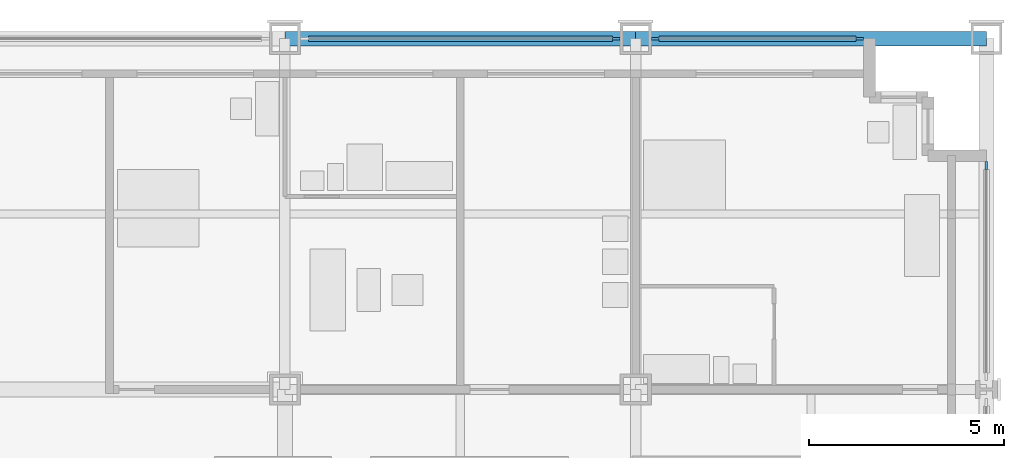
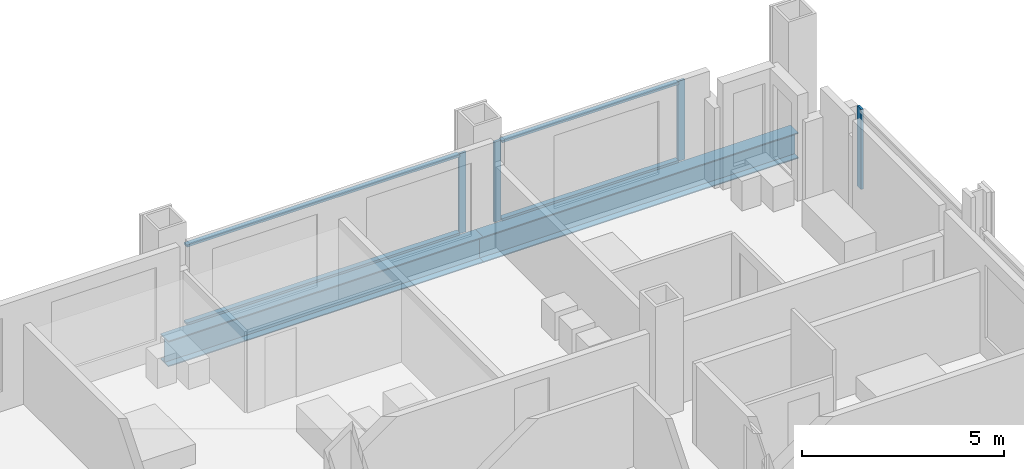
# One storey, part 8 of 18: 8 members, 2 beams, 3 elements without a shape of their own.
"""IFC4 building model written with IfcOpenShell, lengths in metres."""

from ifc_helpers import new_model, si_unit, direction, frame, origin, origin_2d, place, context, subcontext, project, spatial, rectangle, i_section, extrude, material, material_profile, profile_set, type_object, element, aggregate, save


model = new_model("IFC4")

# Units and contexts
model_context = context("Model", 3, precision=1e-05, world=origin(), true_north=direction((0.0, 1.0)))
body_context = subcontext(model_context, "Body", "Model", "MODEL_VIEW")
ifc_project = project(units=[si_unit("LENGTHUNIT", "METRE"), si_unit("AREAUNIT", "SQUARE_METRE"), si_unit("VOLUMEUNIT", "CUBIC_METRE"), si_unit("PLANEANGLEUNIT", "RADIAN"), si_unit("MASSUNIT", "GRAM", prefix="KILO")], contexts=[model_context])

# Site, building, storey
site_placement = place(None, origin())
site = spatial("IfcSite", under=ifc_project, at=site_placement, CompositionType="ELEMENT")
building_placement = place(site_placement, origin())
building = spatial("IfcBuilding", under=site, at=building_placement, Name="Loomwork Tower", CompositionType="ELEMENT")
storey_placement = place(building_placement, frame((0.0, 0.0, 55.199951171875)))
storey = spatial("IfcBuildingStorey", under=building, at=storey_placement, Name="L13", CompositionType="ELEMENT", Elevation=55.199951171875)

# Curtain wall, member
ifc_material_1 = material(Name="Aluminium curtain wall frame", Category="aluminium")
curtain_wall_type = type_object("IfcCurtainWallType", Name="Outer skin glazing hotel", PredefinedType="NOTDEFINED", material=ifc_material_1)
curtain_wall_1_placement = place(storey_placement, origin())
curtain_wall_1 = element("IfcCurtainWall", 1, at=curtain_wall_1_placement, inside=storey, type_object=curtain_wall_type, Name="Outer skin glazing hotel cw/N-36", PredefinedType="NOTDEFINED")
ifc_material_2 = material(Name="Aluminium curtain wall frame", Category="aluminium")
ifc_material_profile_1 = material_profile(ifc_material_2, rectangle(XDim=0.06494140625, YDim=0.199951171875, at=origin_2d()), Name="AL 65x200")
ifc_profile_set_1 = profile_set([ifc_material_profile_1], Name="Aluminium curtain wall frame")
member_type_1 = type_object("IfcMemberType", Name="Outer skin glazing hotel mullion", PredefinedType="MULLION", material=ifc_profile_set_1)
member_1_placement = place(storey_placement, frame((44.5, 36.0, 0.0), z_axis=(0.0, 0.0, 1.0), x_axis=(0.0, -1.0, 0.0)))
member_1 = element("IfcMember", 2, at=member_1_placement, type_object=member_type_1, Name="CW1 mullion 1", PredefinedType="MULLION", context=body_context, shape_type="SweptSolid", body=[
    extrude(rectangle(XDim=0.06494140625, YDim=0.199951171875, at=origin_2d()), origin(), (0.0, 0.0, 1.0), 2.420166015625),
])

# Curtain wall, members
curtain_wall_2_placement = place(storey_placement, origin())
curtain_wall_2 = element("IfcCurtainWall", 3, at=curtain_wall_2_placement, inside=storey, type_object=curtain_wall_type, Name="Outer skin glazing hotel cw/N-45", PredefinedType="NOTDEFINED")
member_2_placement = place(storey_placement, frame((50.75, 36.0, 0.0), z_axis=(0.0, 0.0, 1.0), x_axis=(0.0, -1.0, 0.0)))
member_2 = element("IfcMember", 4, at=member_2_placement, type_object=member_type_1, Name="CW1 mullion 1", PredefinedType="MULLION", context=body_context, shape_type="SweptSolid", body=[
    extrude(rectangle(XDim=0.06494140625, YDim=0.199951171875, at=origin_2d()), origin(), (0.0, 0.0, 1.0), 2.420166015625),
])
member_3_placement = place(storey_placement, frame((45.5, 36.0, 0.0), z_axis=(0.0, 0.0, 1.0), x_axis=(0.0, -1.0, 0.0)))
member_3 = element("IfcMember", 5, at=member_3_placement, type_object=member_type_1, Name="CW1 mullion 2", PredefinedType="MULLION", context=body_context, shape_type="SweptSolid", body=[
    extrude(rectangle(XDim=0.06494140625, YDim=0.199951171875, at=origin_2d()), origin(), (0.0, 0.0, 1.0), 2.420166015625),
])

# Curtain wall, member
curtain_wall_3_placement = place(storey_placement, origin())
curtain_wall_3 = element("IfcCurtainWall", 6, at=curtain_wall_3_placement, inside=storey, type_object=curtain_wall_type, Name="Outer skin glazing hotel cw/E-27", PredefinedType="NOTDEFINED")
member_4_placement = place(storey_placement, frame((54.0, 32.75, 0.0), z_axis=(0.0, 0.0, 1.0), x_axis=(-1.0, 0.0, 0.0)))
member_4 = element("IfcMember", 7, at=member_4_placement, type_object=member_type_1, Name="CW1 mullion 2", PredefinedType="MULLION", context=body_context, shape_type="SweptSolid", body=[
    extrude(rectangle(XDim=0.06494140625, YDim=0.199951171875, at=origin_2d()), origin(), (0.0, 0.0, 1.0), 2.420166015625),
])
aggregate(curtain_wall_3, [member_4])

# Member
ifc_material_3 = material(Name="Aluminium curtain wall frame", Category="aluminium")
ifc_material_profile_2 = material_profile(ifc_material_3, rectangle(XDim=0.14990234375, YDim=0.06494140625, at=origin_2d()), Name="AL 65x150")
ifc_profile_set_2 = profile_set([ifc_material_profile_2], Name="Aluminium curtain wall frame")
member_type_2 = type_object("IfcMemberType", Name="Outer skin glazing hotel transom", PredefinedType="USERDEFINED", material=ifc_profile_set_2)
member_5_placement = place(storey_placement, frame((44.39990234375, 36.0, 0.032470703125), z_axis=(-1.0, 0.0, 0.0), x_axis=(0.0, -1.0, 0.0)))
member_5 = element("IfcMember", 8, at=member_5_placement, type_object=member_type_2, Name="CW1 transom 1.1", ObjectType="TRANSOM", PredefinedType="USERDEFINED", context=body_context, shape_type="SweptSolid", body=[
    extrude(rectangle(XDim=0.14990234375, YDim=0.06494140625, at=origin_2d()), origin(), (0.0, 0.0, 1.0), 7.7998046875),
])

member_6_placement = place(storey_placement, frame((44.39990234375, 36.0, 2.3876953125), z_axis=(-1.0, 0.0, 0.0), x_axis=(0.0, -1.0, 0.0)))
member_6 = element("IfcMember", 9, at=member_6_placement, type_object=member_type_2, Name="CW1 transom 1.2", ObjectType="TRANSOM", PredefinedType="USERDEFINED", context=body_context, shape_type="SweptSolid", body=[
    extrude(rectangle(XDim=0.14990234375, YDim=0.06494140625, at=origin_2d()), origin(), (0.0, 0.0, 1.0), 7.7998046875),
])

aggregate(curtain_wall_1, [member_1, member_5, member_6])

member_7_placement = place(storey_placement, frame((50.64990234375, 36.0, 0.032470703125), z_axis=(-1.0, 0.0, 0.0), x_axis=(0.0, -1.0, 0.0)))
member_7 = element("IfcMember", 10, at=member_7_placement, type_object=member_type_2, Name="CW1 transom 1.1", ObjectType="TRANSOM", PredefinedType="USERDEFINED", context=body_context, shape_type="SweptSolid", body=[
    extrude(rectangle(XDim=0.14990234375, YDim=0.06494140625, at=origin_2d()), origin(), (0.0, 0.0, 1.0), 5.0498046875),
])

member_8_placement = place(storey_placement, frame((50.64990234375, 36.0, 2.3876953125), z_axis=(-1.0, 0.0, 0.0), x_axis=(0.0, -1.0, 0.0)))
member_8 = element("IfcMember", 11, at=member_8_placement, type_object=member_type_2, Name="CW1 transom 1.2", ObjectType="TRANSOM", PredefinedType="USERDEFINED", context=body_context, shape_type="SweptSolid", body=[
    extrude(rectangle(XDim=0.14990234375, YDim=0.06494140625, at=origin_2d()), origin(), (0.0, 0.0, 1.0), 5.0498046875),
])

aggregate(curtain_wall_2, [member_2, member_3, member_7, member_8])

# Beams
ifc_material_4 = material(Name="Steel ASTM A992", Category="steel")
ifc_material_profile_3 = material_profile(ifc_material_4, i_section(OverallWidth=0.381103515625, OverallDepth=0.77978515625, WebThickness=0.01806640625, FlangeThickness=0.0302734375, at=origin_2d()), Name="W30x191")
ifc_profile_set_3 = profile_set([ifc_material_profile_3], Name="Steel ASTM A992")
beam_type = type_object("IfcBeamType", Name="SPANDREL GIRDER W30x191", PredefinedType="SPANDREL", material=ifc_profile_set_3)
for number, where, z_axis, x_axis, name in (
    (12, (36.0, 36.0, -0.58984375), (1.0, 0.0, 0.0), (0.0, 1.0, 0.0), "Spandrel Girder H/6-H/7 L13"),
    (13, (45.0, 36.0, -0.58984375), (1.0, 0.0, 0.0), (0.0, 1.0, 0.0), "Spandrel Girder H/7-H/8 L13"),
):
    element("IfcBeam", number, at=place(storey_placement, frame(where, z_axis=z_axis, x_axis=x_axis)), inside=storey, type_object=beam_type, Name=name, PredefinedType="SPANDREL", context=body_context, shape_type="SweptSolid", body=[
        extrude(i_section(OverallWidth=0.381103515625, OverallDepth=0.77978515625, WebThickness=0.01806640625, FlangeThickness=0.0302734375, at=origin_2d()), origin(), (0.0, 0.0, 1.0), 9.0),
    ])

save(model, "model.ifc")
